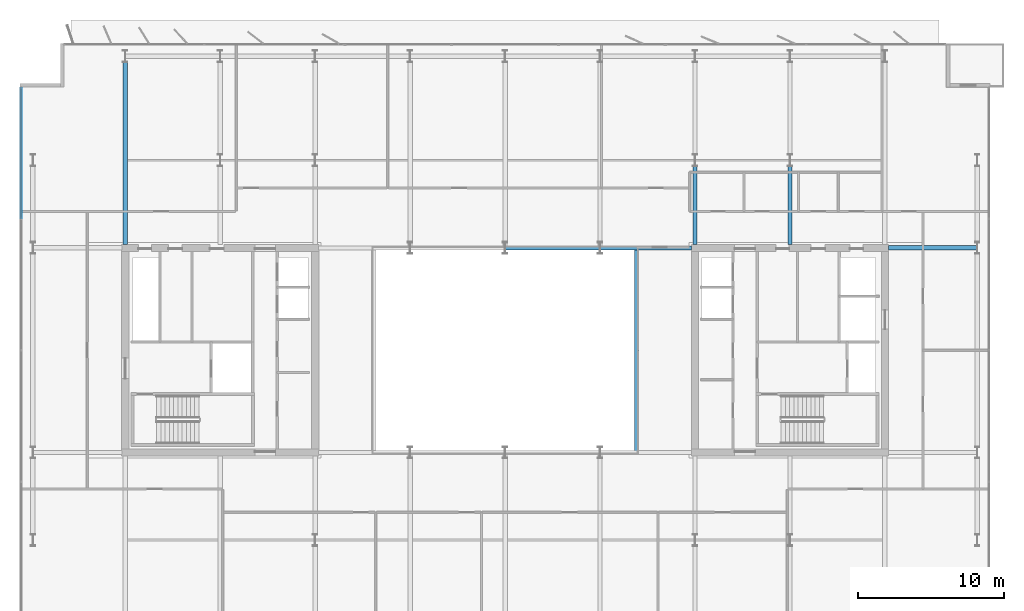
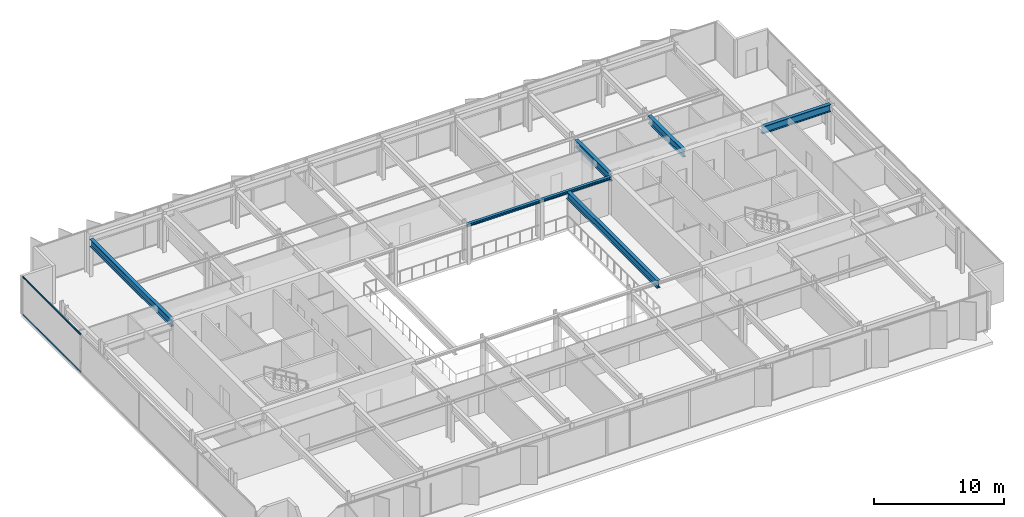
# One storey, part 9 of 23: 7 beams, 2 members, 1 element without a shape of its own.
"""IFC4 building model written with IfcOpenShell, lengths in metres."""

from ifc_helpers import new_model, si_unit, direction, frame, origin, origin_2d, place, context, subcontext, project, spatial, rectangle, i_section, extrude, material, layer, layer_set, material_profile, profile_set, type_object, element, aggregate, save


model = new_model("IFC4")

# Units and contexts
model_context = context("Model", 3, precision=1e-05, world=origin(), true_north=direction((0.0, 1.0)))
body_context = subcontext(model_context, "Body", "Model", "MODEL_VIEW")
ifc_project = project(units=[si_unit("LENGTHUNIT", "METRE"), si_unit("AREAUNIT", "SQUARE_METRE"), si_unit("VOLUMEUNIT", "CUBIC_METRE"), si_unit("PLANEANGLEUNIT", "RADIAN"), si_unit("MASSUNIT", "GRAM", prefix="KILO")], contexts=[model_context])

# Site, building, storey
site_placement = place(None, origin())
site = spatial("IfcSite", under=ifc_project, at=site_placement, CompositionType="ELEMENT")
building_placement = place(site_placement, origin())
building = spatial("IfcBuilding", under=site, at=building_placement, Name="Putna Gate Headquarters", CompositionType="ELEMENT")
storey_placement = place(building_placement, frame((0.0, 0.0, 202.39990234375)))
storey = spatial("IfcBuildingStorey", under=building, at=storey_placement, Name="L50", CompositionType="ELEMENT", Elevation=202.39990234375)

# Beams
ifc_material_1 = material(Name="Steel S355J2", Category="steel")
ifc_material_profile_1 = material_profile(ifc_material_1, i_section(OverallWidth=0.260009765625, OverallDepth=0.260009765625, WebThickness=0.010009765625, FlangeThickness=0.017578125, at=origin_2d()), Name="Steel S355J2")
ifc_profile_set_1 = profile_set([ifc_material_profile_1], Name="Steel S355J2")
beam_type_1 = type_object("IfcBeamType", Name="BM-ATRIUM-HEB260", PredefinedType="BEAM", material=ifc_profile_set_1)
beam_1_placement = place(storey_placement, frame((39.006103515625, 33.0, 3.4501953125), z_axis=(1.0, 0.0, 0.0), x_axis=(0.0, 1.0, 0.0)))
element("IfcBeam", 1, at=beam_1_placement, inside=storey, type_object=beam_type_1, Name="L50 Atrium Edge Beam AN3", PredefinedType="BEAM", context=body_context, shape_type="SweptSolid", body=[
    extrude(i_section(OverallWidth=0.260009765625, OverallDepth=0.260009765625, WebThickness=0.010009765625, FlangeThickness=0.017578125, at=origin_2d()), origin(), (0.0, 0.0, 1.0), 6.48779296875),
])
beam_2_placement = place(storey_placement, frame((45.506103515625, 33.0, 3.4501953125), z_axis=(1.0, 0.0, 0.0), x_axis=(0.0, 1.0, 0.0)))
element("IfcBeam", 2, at=beam_2_placement, inside=storey, type_object=beam_type_1, Name="L50 Atrium Edge Beam AN4", PredefinedType="BEAM", context=body_context, shape_type="SweptSolid", body=[
    extrude(i_section(OverallWidth=0.260009765625, OverallDepth=0.260009765625, WebThickness=0.010009765625, FlangeThickness=0.017578125, at=origin_2d()), origin(), (0.0, 0.0, 1.0), 6.2587890625),
])
ifc_material_profile_2 = material_profile(ifc_material_1, i_section(OverallWidth=0.300048828125, OverallDepth=0.699951171875, WebThickness=0.01708984375, FlangeThickness=0.031982421875, at=origin_2d()), Name="Steel S355J2")
ifc_profile_set_2 = profile_set([ifc_material_profile_2], Name="Steel S355J2")
beam_type_2 = type_object("IfcBeamType", Name="BM-GIRD-B-HEB700", PredefinedType="USERDEFINED", material=ifc_profile_set_2)
beam_3_placement = place(storey_placement, frame((65.235107421875, 33.0, 3.22998046875), z_axis=(1.0, 0.0, 0.0), x_axis=(0.0, 1.0, 0.0)))
element("IfcBeam", 3, at=beam_3_placement, inside=storey, type_object=beam_type_2, Name="L50 East Wing Girder Y33", ObjectType="GIRDER", PredefinedType="USERDEFINED", context=body_context, shape_type="SweptSolid", body=[
    extrude(i_section(OverallWidth=0.300048828125, OverallDepth=0.699951171875, WebThickness=0.01708984375, FlangeThickness=0.031982421875, at=origin_2d()), origin(), (0.0, 0.0, 1.0), 6.078857421875),
])
beam_4_placement = place(storey_placement, frame((13.0, 33.235107421875, 3.22998046875), z_axis=(0.0, 1.0, 0.0), x_axis=(-1.0, 0.0, 0.0)))
element("IfcBeam", 4, at=beam_4_placement, inside=storey, type_object=beam_type_2, Name="L50 North Primary Girder X13", ObjectType="GIRDER", PredefinedType="USERDEFINED", context=body_context, shape_type="SweptSolid", body=[
    extrude(i_section(OverallWidth=0.300048828125, OverallDepth=0.699951171875, WebThickness=0.01708984375, FlangeThickness=0.031982421875, at=origin_2d()), origin(), (0.0, 0.0, 1.0), 12.489990234375),
])
for number, where, z_axis, x_axis, name in (
    (5, (52.0, 33.235107421875, 3.22998046875), (0.0, 1.0, 0.0), (-1.0, 0.0, 0.0), "L50 North Primary Girder X52-1"),
    (6, (58.5, 33.235107421875, 3.22998046875), (0.0, 1.0, 0.0), (-1.0, 0.0, 0.0), "L50 North Primary Girder X58-1"),
):
    element("IfcBeam", number, at=place(storey_placement, frame(where, z_axis=z_axis, x_axis=x_axis)), inside=storey, type_object=beam_type_2, Name=name, ObjectType="GIRDER", PredefinedType="USERDEFINED", context=body_context, shape_type="SweptSolid", body=[
        extrude(i_section(OverallWidth=0.300048828125, OverallDepth=0.699951171875, WebThickness=0.01708984375, FlangeThickness=0.031982421875, at=origin_2d()), origin(), (0.0, 0.0, 1.0), 5.369873046875),
    ])
beam_5_placement = place(storey_placement, frame((48.0, 19.010009765625, 3.22998046875), z_axis=(0.0, 1.0, 0.0), x_axis=(-1.0, 0.0, 0.0)))
element("IfcBeam", 7, at=beam_5_placement, inside=storey, type_object=beam_type_2, Name="L50 Atrium Trim Girder AE", ObjectType="GIRDER", PredefinedType="USERDEFINED", context=body_context, shape_type="SweptSolid", body=[
    extrude(i_section(OverallWidth=0.300048828125, OverallDepth=0.699951171875, WebThickness=0.01708984375, FlangeThickness=0.031982421875, at=origin_2d()), origin(), (0.0, 0.0, 1.0), 13.97998046875),
])

# Curtain wall, members
ifc_material_2 = material(Name="Anodised bronze aluminium curtain wall", Category="aluminium")
ifc_layer = layer(ifc_material_2, 0.139892578125)
ifc_layer_set = layer_set([ifc_layer], Name="Anodised bronze aluminium curtain wall")
curtain_wall_type = type_object("IfcCurtainWallType", Name="CW-SYS-Z4", PredefinedType="USERDEFINED", material=ifc_layer_set)
curtain_wall_placement = place(storey_placement, origin())
curtain_wall = element("IfcCurtainWall", 8, at=curtain_wall_placement, inside=storey, type_object=curtain_wall_type, Name="L50 West Curtain Wall", ObjectType="STICK CURTAIN WALL", PredefinedType="USERDEFINED")
ifc_material_3 = material(Name="Anodised bronze aluminium EN AW-6060", Category="aluminium")
ifc_material_profile_3 = material_profile(ifc_material_3, rectangle(XDim=0.06005859375, YDim=0.10009765625, at=origin_2d()), Name="Anodised bronze aluminium EN AW-6060")
ifc_profile_set_3 = profile_set([ifc_material_profile_3], Name="Anodised bronze aluminium EN AW-6060")
member_type = type_object("IfcMemberType", Name="TRAN-CWT-4", PredefinedType="USERDEFINED", material=ifc_profile_set_3)
member_1_placement = place(storey_placement, frame((5.8798828125, 35.030029296875, 0.030029296875), z_axis=(0.0, 1.0, 0.0), x_axis=(-1.0, 0.0, 0.0)))
member_1 = element("IfcMember", 9, at=member_1_placement, type_object=member_type, Name="CWS-4 transom 4.1", ObjectType="TRANSOM", PredefinedType="USERDEFINED", context=body_context, shape_type="SweptSolid", body=[
    extrude(rectangle(XDim=0.06005859375, YDim=0.10009765625, at=origin_2d()), origin(), (0.0, 0.0, 1.0), 8.909912109375),
])
member_2_placement = place(storey_placement, frame((5.8798828125, 35.030029296875, 3.550048828125), z_axis=(0.0, 1.0, 0.0), x_axis=(-1.0, 0.0, 0.0)))
member_2 = element("IfcMember", 10, at=member_2_placement, type_object=member_type, Name="CWS-4 transom 4.2", ObjectType="TRANSOM", PredefinedType="USERDEFINED", context=body_context, shape_type="SweptSolid", body=[
    extrude(rectangle(XDim=0.06005859375, YDim=0.10009765625, at=origin_2d()), origin(), (0.0, 0.0, 1.0), 8.909912109375),
])
aggregate(curtain_wall, [member_1, member_2])

save(model, "model.ifc")
